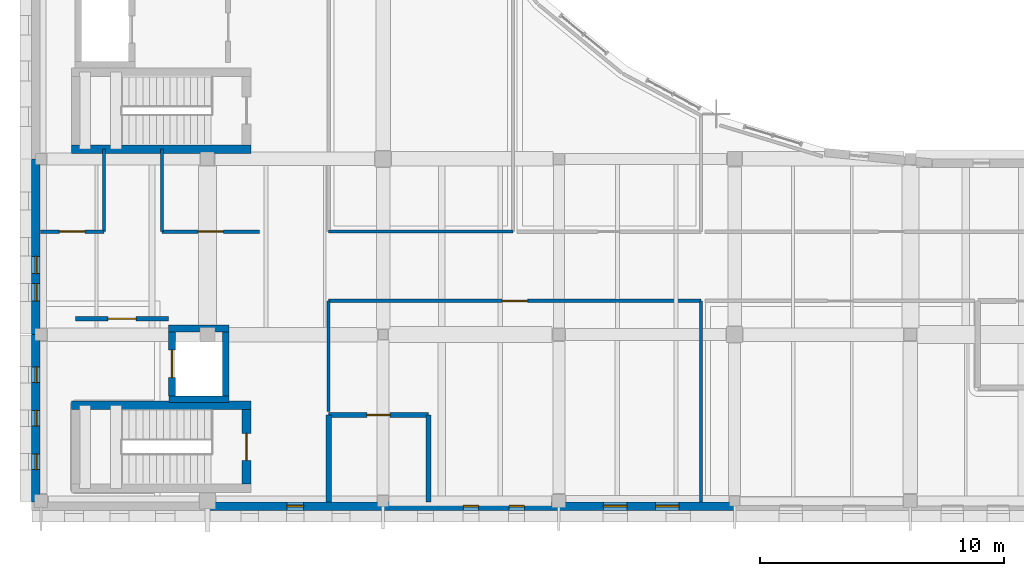
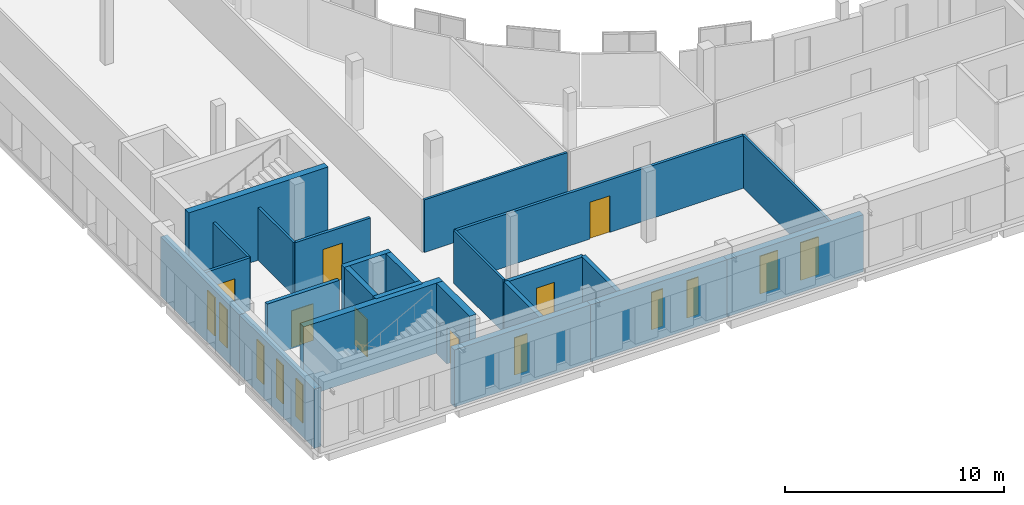
# One storey, part 49 of 76: 24 walls, 10 windows, 7 doors, 17 openings.
"""IFC4 building model written with IfcOpenShell, lengths in metres."""

from ifc_helpers import new_model, si_unit, direction, frame, frame_2d, origin, place, context, subcontext, project, spatial, rectangle, extrude, material, layer, layer_set, type_object, element, fill, save


model = new_model("IFC4")

# Units and contexts
model_context = context("Model", 3, precision=1e-05, world=origin(), true_north=direction((0.0, 1.0)))
body_context = subcontext(model_context, "Body", "Model", "MODEL_VIEW")
ifc_project = project(units=[si_unit("LENGTHUNIT", "METRE"), si_unit("AREAUNIT", "SQUARE_METRE"), si_unit("VOLUMEUNIT", "CUBIC_METRE"), si_unit("PLANEANGLEUNIT", "RADIAN"), si_unit("MASSUNIT", "GRAM", prefix="KILO")], contexts=[model_context])

# Site, building, storey
site_placement = place(None, origin())
site = spatial("IfcSite", under=ifc_project, at=site_placement, CompositionType="ELEMENT")
building_placement = place(site_placement, origin())
building = spatial("IfcBuilding", under=site, at=building_placement, Name="Vardoun Plaza Health Centre", CompositionType="ELEMENT")
storey_placement = place(building_placement, frame((0.0, 0.0, 4.5)))
storey = spatial("IfcBuildingStorey", under=building, at=storey_placement, Name="L01", CompositionType="ELEMENT", Elevation=4.5)

# Wall
ifc_material_1 = material(Name="Concrete C40/50", Category="concrete")
ifc_layer_1 = layer(ifc_material_1, 0.27001953125)
ifc_layer_set_1 = layer_set([ifc_layer_1], Name="Concrete C40/50")
wall_type_1 = type_object("IfcWallType", Name="SW-03", PredefinedType="SHEAR", material=ifc_layer_set_1)
wall_1_placement = place(storey_placement, frame((12.5849609375, 9.050048828125, 0.0), z_axis=(0.0, 0.0, 1.0), x_axis=(-1.0, 0.0, 0.0)))
element("IfcWall", 1, at=wall_1_placement, inside=storey, type_object=wall_type_1, Name="Lift LF-01 L01 Shaft Wall S", PredefinedType="SHEAR", context=body_context, shape_type="SweptSolid", body=[
    extrude(rectangle(XDim=2.469970703125, YDim=0.27001953125, at=frame_2d((1.23486328125, 0.0))), origin(), (0.0, 0.0, 1.0), 3.919921875),
])

# Wall, opening, door
wall_2_placement = place(storey_placement, frame((10.25, 9.18505859375, 0.0), z_axis=(0.0, 0.0, 1.0), x_axis=(0.0, 1.0, 0.0)))
wall_2 = element("IfcWall", 2, at=wall_2_placement, inside=storey, type_object=wall_type_1, Name="Lift LF-01 L01 Shaft Wall W", PredefinedType="SHEAR", context=body_context, shape_type="SweptSolid", body=[
    extrude(rectangle(XDim=2.6298828125, YDim=0.27001953125, at=frame_2d((1.31494140625, 0.0))), origin(), (0.0, 0.0, 1.0), 3.919921875),
])
opening_1_placement = place(wall_2_placement, frame((0.7548828125, 0.0, 0.0)))
opening_1 = element("IfcOpeningElement", 3, at=opening_1_placement, cuts=wall_2, Name="Opening LD-LF-01-L01", PredefinedType="OPENING", context=body_context, shape_type="SweptSolid", body=[
    extrude(rectangle(XDim=1.1201171875, YDim=2.10009765625, at=frame_2d((0.56005859375, 1.050048828125))), frame((0.0, 0.135009765625, 0.0), z_axis=(0.0, -1.0, 0.0), x_axis=(1.0, 0.0, 0.0)), (0.0, 0.0, 1.0), 0.27001953125),
])
ifc_material_2 = material(Name="Brushed Stainless Steel Grade 316L", Category="steel")
door_type_1 = type_object("IfcDoorType", Name="LD-01", OperationType="DOUBLE_DOOR_SLIDING", PredefinedType="DOOR", material=ifc_material_2)
door_1_placement = place(opening_1_placement, origin())
door_1 = element("IfcDoor", 4, at=door_1_placement, inside=storey, type_object=door_type_1, Name="Lift LF-01 L01 Sliding Landing Door", OperationType="DOUBLE_DOOR_SLIDING", OverallHeight=2.10009765625, OverallWidth=1.1201171875, PredefinedType="DOOR", context=body_context, shape_type="SweptSolid", body=[
    extrude(rectangle(XDim=1.1201171875, YDim=2.10009765625, at=frame_2d((0.56005859375, 1.050048828125))), frame((0.0, 0.02490234375, 0.0), z_axis=(0.0, -1.0, 0.0), x_axis=(1.0, 0.0, 0.0)), (0.0, 0.0, 1.0), 0.050048828125),
])
fill(opening_1, door_1)

# Walls
wall_3_placement = place(storey_placement, frame((10.114990234375, 11.949951171875, 0.0), z_axis=(0.0, 0.0, 1.0), x_axis=(1.0, 0.0, 0.0)))
element("IfcWall", 5, at=wall_3_placement, inside=storey, type_object=wall_type_1, Name="Lift LF-01 L01 Shaft Wall N", PredefinedType="SHEAR", context=body_context, shape_type="SweptSolid", body=[
    extrude(rectangle(XDim=2.469970703125, YDim=0.27001953125, at=frame_2d((1.23486328125, 0.0))), origin(), (0.0, 0.0, 1.0), 3.919921875),
])
wall_4_placement = place(storey_placement, frame((12.449951171875, 11.81494140625, 0.0), z_axis=(0.0, 0.0, 1.0), x_axis=(0.0, -1.0, 0.0)))
element("IfcWall", 6, at=wall_4_placement, inside=storey, type_object=wall_type_1, Name="Lift LF-01 L01 Shaft Wall E", PredefinedType="SHEAR", context=body_context, shape_type="SweptSolid", body=[
    extrude(rectangle(XDim=2.6298828125, YDim=0.27001953125, at=frame_2d((1.31494140625, 0.0))), origin(), (0.0, 0.0, 1.0), 3.919921875),
])
ifc_material_3 = material(Name="Concrete C40/50", Category="concrete")
ifc_layer_2 = layer(ifc_material_3, 0.35009765625)
ifc_layer_set_2 = layer_set([ifc_layer_2], Name="Concrete C40/50")
wall_type_2 = type_object("IfcWallType", Name="SW-02", PredefinedType="SHEAR", material=ifc_layer_set_2)
wall_5_placement = place(storey_placement, frame((6.125, 8.800048828125, 0.0), z_axis=(0.0, 0.0, 1.0), x_axis=(1.0, 0.0, 0.0)))
element("IfcWall", 7, at=wall_5_placement, inside=storey, type_object=wall_type_2, Name="Core C1 L01 Shear Wall N", PredefinedType="SHEAR", context=body_context, shape_type="SweptSolid", body=[
    extrude(rectangle(XDim=7.35009765625, YDim=0.35009765625, at=frame_2d((3.675048828125, 0.0))), origin(), (0.0, 0.0, 1.0), 3.919921875),
])

# Wall, opening, door
wall_6_placement = place(storey_placement, frame((13.300048828125, 8.625, 0.0), z_axis=(0.0, 0.0, 1.0), x_axis=(0.0, -1.0, 0.0)))
wall_6 = element("IfcWall", 8, at=wall_6_placement, inside=storey, type_object=wall_type_2, Name="Core C1 L01 Shear Wall E", PredefinedType="SHEAR", context=body_context, shape_type="SweptSolid", body=[
    extrude(rectangle(XDim=3.050048828125, YDim=0.35009765625, at=frame_2d((1.52490234375, 0.0))), origin(), (0.0, 0.0, 1.0), 3.919921875),
])
opening_2_placement = place(wall_6_placement, frame((0.97509765625, 0.0, 0.0)))
opening_2 = element("IfcOpeningElement", 9, at=opening_2_placement, cuts=wall_6, Name="Opening SD-C1-L01", PredefinedType="OPENING", context=body_context, shape_type="SweptSolid", body=[
    extrude(rectangle(XDim=1.10009765625, YDim=2.050048828125, at=frame_2d((0.550048828125, 1.02490234375))), frame((0.0, 0.175048828125, 0.0), z_axis=(0.0, -1.0, 0.0), x_axis=(1.0, 0.0, 0.0)), (0.0, 0.0, 1.0), 0.35009765625),
])
ifc_material_4 = material(Name="Brushed Stainless Steel Grade 316L", Category="steel")
door_type_2 = type_object("IfcDoorType", Name="FD-01", OperationType="NOTDEFINED", PredefinedType="DOOR", material=ifc_material_4)
door_2_placement = place(opening_2_placement, origin())
door_2 = element("IfcDoor", 10, at=door_2_placement, inside=storey, type_object=door_type_2, Name="Stair C1 L01 Fire Door", OperationType="SINGLE_SWING_LEFT", OverallHeight=2.050048828125, OverallWidth=1.10009765625, PredefinedType="DOOR", context=body_context, shape_type="SweptSolid", body=[
    extrude(rectangle(XDim=1.10009765625, YDim=2.050048828125, at=frame_2d((0.550048828125, 1.02490234375))), frame((0.0, 0.02490234375, 0.0), z_axis=(0.0, -1.0, 0.0), x_axis=(1.0, 0.0, 0.0)), (0.0, 0.0, 1.0), 0.050048828125),
])
fill(opening_2, door_2)

# Wall
wall_7_placement = place(storey_placement, frame((13.47509765625, 19.300048828125, 0.0), z_axis=(0.0, 0.0, 1.0), x_axis=(-1.0, 0.0, 0.0)))
element("IfcWall", 11, at=wall_7_placement, inside=storey, type_object=wall_type_2, Name="Core C2 L01 Shear Wall S", PredefinedType="SHEAR", context=body_context, shape_type="SweptSolid", body=[
    extrude(rectangle(XDim=7.35009765625, YDim=0.35009765625, at=frame_2d((3.675048828125, 0.0))), origin(), (0.0, 0.0, 1.0), 3.919921875),
])

# Wall, openings, windows
ifc_material_5 = material(Name="Pale Limestone Concrete C35/45", Category="masonry")
ifc_layer_3 = layer(ifc_material_5, 0.344970703125)
ifc_layer_set_3 = layer_set([ifc_layer_3], Name="Pale Limestone Concrete C35/45")
wall_type_3 = type_object("IfcWallType", Name="EW-01", PredefinedType="SOLIDWALL", material=ifc_layer_set_3)
wall_8_placement = place(storey_placement, frame((33.300048828125, 4.672607421875, 0.0), z_axis=(0.0, 0.0, 1.0), x_axis=(-1.0, 0.0, 0.0)))
wall_8 = element("IfcWall", 12, at=wall_8_placement, inside=storey, type_object=wall_type_3, Name="V2 L01 Exterior Wall EW-V2-113", PredefinedType="SOLIDWALL", context=body_context, shape_type="SweptSolid", body=[
    extrude(rectangle(XDim=7.199951171875, YDim=0.344970703125, at=frame_2d((3.60009765625, 0.0))), origin(), (0.0, 0.0, 1.0), 3.18505859375),
])
opening_3_placement = place(wall_8_placement, frame((2.27392578125, 0.0, 0.550048828125)))
opening_3 = element("IfcOpeningElement", 13, at=opening_3_placement, cuts=wall_8, Name="Opening W-20-001", PredefinedType="OPENING", context=body_context, shape_type="SweptSolid", body=[
    extrude(rectangle(XDim=0.9599609375, YDim=2.10009765625, at=frame_2d((0.47998046875, 1.050048828125))), frame((0.0, 0.17236328125, 0.0), z_axis=(0.0, -1.0, 0.0), x_axis=(1.0, 0.0, 0.0)), (0.0, 0.0, 1.0), 0.344970703125),
])
opening_4_placement = place(wall_8_placement, frame((4.416015625, 0.0, 0.550048828125)))
opening_4 = element("IfcOpeningElement", 14, at=opening_4_placement, cuts=wall_8, Name="Opening W-20-002", PredefinedType="OPENING", context=body_context, shape_type="SweptSolid", body=[
    extrude(rectangle(XDim=0.9599609375, YDim=2.10009765625, at=frame_2d((0.47998046875, 1.050048828125))), frame((0.0, 0.17236328125, 0.0), z_axis=(0.0, -1.0, 0.0), x_axis=(1.0, 0.0, 0.0)), (0.0, 0.0, 1.0), 0.344970703125),
])
ifc_material_6 = material(Name="Aluminium Alloy EN AW-6063-T6 and Low-E Glass", Category="aluminium")
window_type_1 = type_object("IfcWindowType", Name="W-20", PartitioningType="DOUBLE_PANEL_VERTICAL", PredefinedType="WINDOW", material=ifc_material_6)
window_1_placement = place(opening_3_placement, origin())
window_1 = element("IfcWindow", 15, at=window_1_placement, inside=storey, type_object=window_type_1, Name="V2 L01 Deep-Punched Slot Window W-20-071", OverallHeight=2.10009765625, OverallWidth=0.9599609375, PartitioningType="DOUBLE_PANEL_VERTICAL", PredefinedType="WINDOW", context=body_context, shape_type="SweptSolid", body=[
    extrude(rectangle(XDim=0.9599609375, YDim=2.10009765625, at=frame_2d((0.47998046875, 1.050048828125))), frame((0.0, 0.030029296875, 0.0), z_axis=(0.0, -1.0, 0.0), x_axis=(1.0, 0.0, 0.0)), (0.0, 0.0, 1.0), 0.06005859375),
])
fill(opening_3, window_1)
window_2_placement = place(opening_4_placement, origin())
window_2 = element("IfcWindow", 16, at=window_2_placement, inside=storey, type_object=window_type_1, Name="V2 L01 Deep-Punched Slot Window W-20-072", OverallHeight=2.10009765625, OverallWidth=0.9599609375, PartitioningType="DOUBLE_PANEL_VERTICAL", PredefinedType="WINDOW", context=body_context, shape_type="SweptSolid", body=[
    extrude(rectangle(XDim=0.9599609375, YDim=2.10009765625, at=frame_2d((0.47998046875, 1.050048828125))), frame((0.0, 0.030029296875, 0.0), z_axis=(0.0, -1.0, 0.0), x_axis=(1.0, 0.0, 0.0)), (0.0, 0.0, 1.0), 0.06005859375),
])
fill(opening_4, window_2)

wall_9_placement = place(storey_placement, frame((26.10009765625, 4.672607421875, 0.0), z_axis=(0.0, 0.0, 1.0), x_axis=(-1.0, 0.0, 0.0)))
wall_9 = element("IfcWall", 17, at=wall_9_placement, inside=storey, type_object=wall_type_3, Name="V2 L01 Exterior Wall EW-V2-114", PredefinedType="SOLIDWALL", context=body_context, shape_type="SweptSolid", body=[
    extrude(rectangle(XDim=7.2001953125, YDim=0.344970703125, at=frame_2d((3.60009765625, 0.0))), origin(), (0.0, 0.0, 1.0), 3.18505859375),
])
opening_5_placement = place(wall_9_placement, frame((1.41796875, 0.0, 0.550048828125)))
opening_5 = element("IfcOpeningElement", 18, at=opening_5_placement, cuts=wall_9, Name="Opening W-21-003", PredefinedType="OPENING", context=body_context, shape_type="SweptSolid", body=[
    extrude(rectangle(XDim=0.6201171875, YDim=2.080078125, at=frame_2d((0.31005859375, 1.0400390625))), frame((0.0, 0.17236328125, 0.0), z_axis=(0.0, -1.0, 0.0), x_axis=(1.0, 0.0, 0.0)), (0.0, 0.0, 1.0), 0.344970703125),
])
opening_6_placement = place(wall_9_placement, frame((3.2900390625, 0.0, 0.550048828125)))
opening_6 = element("IfcOpeningElement", 19, at=opening_6_placement, cuts=wall_9, Name="Opening W-21-004", PredefinedType="OPENING", context=body_context, shape_type="SweptSolid", body=[
    extrude(rectangle(XDim=0.6201171875, YDim=2.080078125, at=frame_2d((0.31005859375, 1.0400390625))), frame((0.0, 0.17236328125, 0.0), z_axis=(0.0, -1.0, 0.0), x_axis=(1.0, 0.0, 0.0)), (0.0, 0.0, 1.0), 0.344970703125),
])
ifc_material_7 = material(Name="Aluminium Alloy EN AW-6063-T6 and Low-E Glass", Category="aluminium")
window_type_2 = type_object("IfcWindowType", Name="W-21", PartitioningType="SINGLE_PANEL", PredefinedType="WINDOW", material=ifc_material_7)
window_3_placement = place(opening_5_placement, origin())
window_3 = element("IfcWindow", 20, at=window_3_placement, inside=storey, type_object=window_type_2, Name="V2 L01 Deep-Punched Slot Window W-21-073", OverallHeight=2.080078125, OverallWidth=0.6201171875, PartitioningType="SINGLE_PANEL", PredefinedType="WINDOW", context=body_context, shape_type="SweptSolid", body=[
    extrude(rectangle(XDim=0.6201171875, YDim=2.080078125, at=frame_2d((0.31005859375, 1.0400390625))), frame((0.0, 0.030029296875, 0.0), z_axis=(0.0, -1.0, 0.0), x_axis=(1.0, 0.0, 0.0)), (0.0, 0.0, 1.0), 0.06005859375),
])
fill(opening_5, window_3)
window_4_placement = place(opening_6_placement, origin())
window_4 = element("IfcWindow", 21, at=window_4_placement, inside=storey, type_object=window_type_2, Name="V2 L01 Deep-Punched Slot Window W-21-074", OverallHeight=2.080078125, OverallWidth=0.6201171875, PartitioningType="SINGLE_PANEL", PredefinedType="WINDOW", context=body_context, shape_type="SweptSolid", body=[
    extrude(rectangle(XDim=0.6201171875, YDim=2.080078125, at=frame_2d((0.31005859375, 1.0400390625))), frame((0.0, 0.030029296875, 0.0), z_axis=(0.0, -1.0, 0.0), x_axis=(1.0, 0.0, 0.0)), (0.0, 0.0, 1.0), 0.06005859375),
])
fill(opening_6, window_4)

# Wall, opening, window
wall_10_placement = place(storey_placement, frame((18.89990234375, 4.672607421875, 0.0), z_axis=(0.0, 0.0, 1.0), x_axis=(-1.0, 0.0, 0.0)))
wall_10 = element("IfcWall", 22, at=wall_10_placement, inside=storey, type_object=wall_type_3, Name="V2 L01 Exterior Wall EW-V2-115", PredefinedType="SOLIDWALL", context=body_context, shape_type="SweptSolid", body=[
    extrude(rectangle(XDim=7.199951171875, YDim=0.344970703125, at=frame_2d((3.60009765625, 0.0))), origin(), (0.0, 0.0, 1.0), 3.18505859375),
])
opening_7_placement = place(wall_10_placement, frame((3.260009765625, 0.0, 0.550048828125)))
opening_7 = element("IfcOpeningElement", 23, at=opening_7_placement, cuts=wall_10, Name="Opening W-22-001", PredefinedType="OPENING", context=body_context, shape_type="SweptSolid", body=[
    extrude(rectangle(XDim=0.679931640625, YDim=2.080078125, at=frame_2d((0.33984375, 1.0400390625))), frame((0.0, 0.17236328125, 0.0), z_axis=(0.0, -1.0, 0.0), x_axis=(1.0, 0.0, 0.0)), (0.0, 0.0, 1.0), 0.344970703125),
])
ifc_material_8 = material(Name="Aluminium Alloy EN AW-6063-T6 and Low-E Glass", Category="aluminium")
window_type_3 = type_object("IfcWindowType", Name="W-22", PartitioningType="SINGLE_PANEL", PredefinedType="WINDOW", material=ifc_material_8)
window_5_placement = place(opening_7_placement, origin())
window_5 = element("IfcWindow", 24, at=window_5_placement, inside=storey, type_object=window_type_3, Name="V2 L01 Deep-Punched Slot Window W-22-077", OverallHeight=2.080078125, OverallWidth=0.679931640625, PartitioningType="SINGLE_PANEL", PredefinedType="WINDOW", context=body_context, shape_type="SweptSolid", body=[
    extrude(rectangle(XDim=0.679931640625, YDim=2.080078125, at=frame_2d((0.33984375, 1.0400390625))), frame((0.0, 0.030029296875, 0.0), z_axis=(0.0, -1.0, 0.0), x_axis=(1.0, 0.0, 0.0)), (0.0, 0.0, 1.0), 0.06005859375),
])
fill(opening_7, window_5)

# Wall, openings, windows
wall_11_placement = place(storey_placement, frame((4.672607421875, 4.844970703125, 0.0), z_axis=(0.0, 0.0, 1.0), x_axis=(0.0, 1.0, 0.0)))
wall_11 = element("IfcWall", 25, at=wall_11_placement, inside=storey, type_object=wall_type_3, Name="V2 L01 Exterior Wall EW-V2-117", PredefinedType="SOLIDWALL", context=body_context, shape_type="SweptSolid", body=[
    extrude(rectangle(XDim=6.85498046875, YDim=0.344970703125, at=frame_2d((3.427490234375, 0.0))), origin(), (0.0, 0.0, 1.0), 3.304931640625),
])
opening_8_placement = place(wall_11_placement, frame((1.3203125, 0.0, 0.550048828125)))
opening_8 = element("IfcOpeningElement", 26, at=opening_8_placement, cuts=wall_11, Name="Opening W-31-001", PredefinedType="OPENING", context=body_context, shape_type="SweptSolid", body=[
    extrude(rectangle(XDim=0.64990234375, YDim=2.139892578125, at=frame_2d((0.324951171875, 1.06982421875))), frame((0.0, 0.17236328125, 0.0), z_axis=(0.0, -1.0, 0.0), x_axis=(1.0, 0.0, 0.0)), (0.0, 0.0, 1.0), 0.344970703125),
])
opening_9_placement = place(wall_11_placement, frame((3.1025390625, 0.0, 0.550048828125)))
opening_9 = element("IfcOpeningElement", 27, at=opening_9_placement, cuts=wall_11, Name="Opening W-31-002", PredefinedType="OPENING", context=body_context, shape_type="SweptSolid", body=[
    extrude(rectangle(XDim=0.64990234375, YDim=2.139892578125, at=frame_2d((0.324951171875, 1.06982421875))), frame((0.0, 0.17236328125, 0.0), z_axis=(0.0, -1.0, 0.0), x_axis=(1.0, 0.0, 0.0)), (0.0, 0.0, 1.0), 0.344970703125),
])
opening_10_placement = place(wall_11_placement, frame((4.884765625, 0.0, 0.550048828125)))
opening_10 = element("IfcOpeningElement", 28, at=opening_10_placement, cuts=wall_11, Name="Opening W-31-003", PredefinedType="OPENING", context=body_context, shape_type="SweptSolid", body=[
    extrude(rectangle(XDim=0.64990234375, YDim=2.139892578125, at=frame_2d((0.324951171875, 1.06982421875))), frame((0.0, 0.17236328125, 0.0), z_axis=(0.0, -1.0, 0.0), x_axis=(1.0, 0.0, 0.0)), (0.0, 0.0, 1.0), 0.344970703125),
])
ifc_material_9 = material(Name="Aluminium Alloy EN AW-6063-T6 and Low-E Glass", Category="aluminium")
window_type_4 = type_object("IfcWindowType", Name="W-31", PartitioningType="SINGLE_PANEL", PredefinedType="WINDOW", material=ifc_material_9)
window_6_placement = place(opening_8_placement, origin())
window_6 = element("IfcWindow", 29, at=window_6_placement, inside=storey, type_object=window_type_4, Name="V2 L01 Deep-Punched Slot Window W-31-082", OverallHeight=2.139892578125, OverallWidth=0.64990234375, PartitioningType="SINGLE_PANEL", PredefinedType="WINDOW", context=body_context, shape_type="SweptSolid", body=[
    extrude(rectangle(XDim=0.64990234375, YDim=2.139892578125, at=frame_2d((0.324951171875, 1.06982421875))), frame((0.0, 0.030029296875, 0.0), z_axis=(0.0, -1.0, 0.0), x_axis=(1.0, 0.0, 0.0)), (0.0, 0.0, 1.0), 0.06005859375),
])
fill(opening_8, window_6)
window_7_placement = place(opening_9_placement, origin())
window_7 = element("IfcWindow", 30, at=window_7_placement, inside=storey, type_object=window_type_4, Name="V2 L01 Deep-Punched Slot Window W-31-083", OverallHeight=2.139892578125, OverallWidth=0.64990234375, PartitioningType="SINGLE_PANEL", PredefinedType="WINDOW", context=body_context, shape_type="SweptSolid", body=[
    extrude(rectangle(XDim=0.64990234375, YDim=2.139892578125, at=frame_2d((0.324951171875, 1.06982421875))), frame((0.0, 0.030029296875, 0.0), z_axis=(0.0, -1.0, 0.0), x_axis=(1.0, 0.0, 0.0)), (0.0, 0.0, 1.0), 0.06005859375),
])
fill(opening_9, window_7)
window_8_placement = place(opening_10_placement, origin())
window_8 = element("IfcWindow", 31, at=window_8_placement, inside=storey, type_object=window_type_4, Name="V2 L01 Deep-Punched Slot Window W-31-084", OverallHeight=2.139892578125, OverallWidth=0.64990234375, PartitioningType="SINGLE_PANEL", PredefinedType="WINDOW", context=body_context, shape_type="SweptSolid", body=[
    extrude(rectangle(XDim=0.64990234375, YDim=2.139892578125, at=frame_2d((0.324951171875, 1.06982421875))), frame((0.0, 0.030029296875, 0.0), z_axis=(0.0, -1.0, 0.0), x_axis=(1.0, 0.0, 0.0)), (0.0, 0.0, 1.0), 0.06005859375),
])
fill(opening_10, window_8)

wall_12_placement = place(storey_placement, frame((4.672607421875, 11.699951171875, 0.0), z_axis=(0.0, 0.0, 1.0), x_axis=(0.0, 1.0, 0.0)))
wall_12 = element("IfcWall", 32, at=wall_12_placement, inside=storey, type_object=wall_type_3, Name="V2 L01 Exterior Wall EW-V2-118", PredefinedType="SOLIDWALL", context=body_context, shape_type="SweptSolid", body=[
    extrude(rectangle(XDim=7.199951171875, YDim=0.344970703125, at=frame_2d((3.60009765625, 0.0))), origin(), (0.0, 0.0, 1.0), 3.304931640625),
])
opening_11_placement = place(wall_12_placement, frame((1.373046875, 0.0, 0.550048828125)))
opening_11 = element("IfcOpeningElement", 33, at=opening_11_placement, cuts=wall_12, Name="Opening W-32-004", PredefinedType="OPENING", context=body_context, shape_type="SweptSolid", body=[
    extrude(rectangle(XDim=0.7099609375, YDim=2.139892578125, at=frame_2d((0.35498046875, 1.06982421875))), frame((0.0, 0.17236328125, 0.0), z_axis=(0.0, -1.0, 0.0), x_axis=(1.0, 0.0, 0.0)), (0.0, 0.0, 1.0), 0.344970703125),
])
opening_12_placement = place(wall_12_placement, frame((2.4951171875, 0.0, 0.550048828125)))
opening_12 = element("IfcOpeningElement", 34, at=opening_12_placement, cuts=wall_12, Name="Opening W-32-005", PredefinedType="OPENING", context=body_context, shape_type="SweptSolid", body=[
    extrude(rectangle(XDim=0.7099609375, YDim=2.139892578125, at=frame_2d((0.35498046875, 1.06982421875))), frame((0.0, 0.17236328125, 0.0), z_axis=(0.0, -1.0, 0.0), x_axis=(1.0, 0.0, 0.0)), (0.0, 0.0, 1.0), 0.344970703125),
])
ifc_material_10 = material(Name="Aluminium Alloy EN AW-6063-T6 and Low-E Glass", Category="aluminium")
window_type_5 = type_object("IfcWindowType", Name="W-32", PartitioningType="SINGLE_PANEL", PredefinedType="WINDOW", material=ifc_material_10)
window_9_placement = place(opening_11_placement, origin())
window_9 = element("IfcWindow", 35, at=window_9_placement, inside=storey, type_object=window_type_5, Name="V2 L01 Deep-Punched Slot Window W-32-085", OverallHeight=2.139892578125, OverallWidth=0.7099609375, PartitioningType="SINGLE_PANEL", PredefinedType="WINDOW", context=body_context, shape_type="SweptSolid", body=[
    extrude(rectangle(XDim=0.7099609375, YDim=2.139892578125, at=frame_2d((0.35498046875, 1.06982421875))), frame((0.0, 0.030029296875, 0.0), z_axis=(0.0, -1.0, 0.0), x_axis=(1.0, 0.0, 0.0)), (0.0, 0.0, 1.0), 0.06005859375),
])
fill(opening_11, window_9)
window_10_placement = place(opening_12_placement, origin())
window_10 = element("IfcWindow", 36, at=window_10_placement, inside=storey, type_object=window_type_5, Name="V2 L01 Deep-Punched Slot Window W-32-086", OverallHeight=2.139892578125, OverallWidth=0.7099609375, PartitioningType="SINGLE_PANEL", PredefinedType="WINDOW", context=body_context, shape_type="SweptSolid", body=[
    extrude(rectangle(XDim=0.7099609375, YDim=2.139892578125, at=frame_2d((0.35498046875, 1.06982421875))), frame((0.0, 0.030029296875, 0.0), z_axis=(0.0, -1.0, 0.0), x_axis=(1.0, 0.0, 0.0)), (0.0, 0.0, 1.0), 0.06005859375),
])
fill(opening_12, window_10)

# Wall, opening, door
ifc_material_11 = material(Name="Acoustic Gypsum Twin-Stud", Category="steel")
ifc_layer_4 = layer(ifc_material_11, 0.14990234375)
ifc_layer_set_4 = layer_set([ifc_layer_4], Name="Acoustic Gypsum Twin-Stud")
wall_type_4 = type_object("IfcWallType", Name="IW-04", PredefinedType="PARTITIONING", material=ifc_layer_set_4)
wall_13_placement = place(storey_placement, frame((7.4599609375, 15.919921875, 0.0), z_axis=(0.0, 0.0, 1.0), x_axis=(-1.0, 0.0, 0.0)))
wall_13 = element("IfcWall", 37, at=wall_13_placement, inside=storey, type_object=wall_type_4, Name="GP Consulting Room 12 Partition Wall", PredefinedType="PARTITIONING", context=body_context, shape_type="SweptSolid", body=[
    extrude(rectangle(XDim=2.60986328125, YDim=0.14990234375, at=frame_2d((1.304931640625, 0.0))), origin(), (0.0, 0.0, 1.0), 2.93994140625),
])
opening_13_placement = place(wall_13_placement, frame((0.784912109375, 0.0, 0.0)))
opening_13 = element("IfcOpeningElement", 38, at=opening_13_placement, cuts=wall_13, Name="Opening D-L01-037", PredefinedType="OPENING", context=body_context, shape_type="SweptSolid", body=[
    extrude(rectangle(XDim=1.0400390625, YDim=2.050048828125, at=frame_2d((0.52001953125, 1.02490234375))), frame((0.0, 0.074951171875, 0.0), z_axis=(0.0, -1.0, 0.0), x_axis=(1.0, 0.0, 0.0)), (0.0, 0.0, 1.0), 0.14990234375),
])
ifc_material_12 = material(Name="Antimicrobial Acoustic Timber and Steel S275JR", Category="steel")
door_type_3 = type_object("IfcDoorType", Name="CD-04", OperationType="NOTDEFINED", PredefinedType="DOOR", material=ifc_material_12)
door_3_placement = place(opening_13_placement, origin())
door_3 = element("IfcDoor", 39, at=door_3_placement, inside=storey, type_object=door_type_3, Name="GP Consulting Room 12 Door D-L01-037", OperationType="SINGLE_SWING_LEFT", OverallHeight=2.050048828125, OverallWidth=1.0400390625, PredefinedType="DOOR", context=body_context, shape_type="SweptSolid", body=[
    extrude(rectangle(XDim=1.0400390625, YDim=2.050048828125, at=frame_2d((0.52001953125, 1.02490234375))), frame((0.0, 0.02490234375, 0.0), z_axis=(0.0, -1.0, 0.0), x_axis=(1.0, 0.0, 0.0)), (0.0, 0.0, 1.0), 0.050048828125),
])
fill(opening_13, door_3)

wall_14_placement = place(storey_placement, frame((16.669921875, 13.080078125, 0.0), z_axis=(0.0, 0.0, 1.0), x_axis=(1.0, 0.0, 0.0)))
wall_14 = element("IfcWall", 40, at=wall_14_placement, inside=storey, type_object=wall_type_4, Name="GP Consulting Room 14 Partition Wall", PredefinedType="PARTITIONING", context=body_context, shape_type="SweptSolid", body=[
    extrude(rectangle(XDim=15.260009765625, YDim=0.14990234375, at=frame_2d((7.6298828125, 0.0))), origin(), (0.0, 0.0, 1.0), 2.93994140625),
])
opening_14_placement = place(wall_14_placement, frame((7.110107421875, 0.0, 0.0)))
opening_14 = element("IfcOpeningElement", 41, at=opening_14_placement, cuts=wall_14, Name="Opening D-L01-039", PredefinedType="OPENING", context=body_context, shape_type="SweptSolid", body=[
    extrude(rectangle(XDim=1.0400390625, YDim=2.050048828125, at=frame_2d((0.52001953125, 1.02490234375))), frame((0.0, 0.074951171875, 0.0), z_axis=(0.0, -1.0, 0.0), x_axis=(1.0, 0.0, 0.0)), (0.0, 0.0, 1.0), 0.14990234375),
])
door_4_placement = place(opening_14_placement, origin())
door_4 = element("IfcDoor", 42, at=door_4_placement, inside=storey, type_object=door_type_3, Name="GP Consulting Room 14 Door D-L01-039", OperationType="SINGLE_SWING_LEFT", OverallHeight=2.050048828125, OverallWidth=1.0400390625, PredefinedType="DOOR", context=body_context, shape_type="SweptSolid", body=[
    extrude(rectangle(XDim=1.0400390625, YDim=2.050048828125, at=frame_2d((0.52001953125, 1.02490234375))), frame((0.0, 0.02490234375, 0.0), z_axis=(0.0, -1.0, 0.0), x_axis=(1.0, 0.0, 0.0)), (0.0, 0.0, 1.0), 0.050048828125),
])
fill(opening_14, door_4)

wall_15_placement = place(storey_placement, frame((13.830078125, 15.919921875, 0.0), z_axis=(0.0, 0.0, 1.0), x_axis=(-1.0, 0.0, 0.0)))
wall_15 = element("IfcWall", 43, at=wall_15_placement, inside=storey, type_object=wall_type_4, Name="Internal Medicine Treatment Room Partition Wall", PredefinedType="PARTITIONING", context=body_context, shape_type="SweptSolid", body=[
    extrude(rectangle(XDim=3.989990234375, YDim=0.14990234375, at=frame_2d((1.9951171875, 0.0))), origin(), (0.0, 0.0, 1.0), 2.93994140625),
])
opening_15_placement = place(wall_15_placement, frame((1.47509765625, 0.0, 0.0)))
opening_15 = element("IfcOpeningElement", 44, at=opening_15_placement, cuts=wall_15, Name="Opening D-L01-041", PredefinedType="OPENING", context=body_context, shape_type="SweptSolid", body=[
    extrude(rectangle(XDim=1.0400390625, YDim=2.050048828125, at=frame_2d((0.52001953125, 1.02490234375))), frame((0.0, 0.074951171875, 0.0), z_axis=(0.0, -1.0, 0.0), x_axis=(1.0, 0.0, 0.0)), (0.0, 0.0, 1.0), 0.14990234375),
])
door_5_placement = place(opening_15_placement, origin())
door_5 = element("IfcDoor", 45, at=door_5_placement, inside=storey, type_object=door_type_3, Name="Internal Medicine Treatment Room Door D-L01-041", OperationType="SINGLE_SWING_LEFT", OverallHeight=2.050048828125, OverallWidth=1.0400390625, PredefinedType="DOOR", context=body_context, shape_type="SweptSolid", body=[
    extrude(rectangle(XDim=1.0400390625, YDim=2.050048828125, at=frame_2d((0.52001953125, 1.02490234375))), frame((0.0, 0.02490234375, 0.0), z_axis=(0.0, -1.0, 0.0), x_axis=(1.0, 0.0, 0.0)), (0.0, 0.0, 1.0), 0.050048828125),
])
fill(opening_15, door_5)

# Walls
ifc_material_13 = material(Name="Standard Clinical Sub-Partition", Category="steel")
ifc_layer_5 = layer(ifc_material_13, 0.125)
ifc_layer_set_5 = layer_set([ifc_layer_5], Name="Standard Clinical Sub-Partition")
wall_type_5 = type_object("IfcWallType", Name="IW-11", PredefinedType="PARTITIONING", material=ifc_layer_set_5)
wall_16_placement = place(storey_placement, frame((24.219970703125, 15.919921875, 0.0), z_axis=(0.0, 0.0, 1.0), x_axis=(-1.0, 0.0, 0.0)))
element("IfcWall", 46, at=wall_16_placement, inside=storey, type_object=wall_type_5, Name="GP Consulting Room 11 Enclosure Partition", PredefinedType="PARTITIONING", context=body_context, shape_type="SweptSolid", body=[
    extrude(rectangle(XDim=7.550048828125, YDim=0.125, at=frame_2d((3.77490234375, 0.0))), origin(), (0.0, 0.0, 1.0), 2.93994140625),
])
wall_17_placement = place(storey_placement, frame((7.4599609375, 19.300048828125, 0.0), z_axis=(0.0, 0.0, 1.0), x_axis=(0.0, -1.0, 0.0)))
element("IfcWall", 47, at=wall_17_placement, inside=storey, type_object=wall_type_5, Name="GP Consulting Room 12 Enclosure Partition", PredefinedType="PARTITIONING", context=body_context, shape_type="SweptSolid", body=[
    extrude(rectangle(XDim=3.380126953125, YDim=0.125, at=frame_2d((1.68994140625, 0.0))), origin(), (0.0, 0.0, 1.0), 2.93994140625),
])
wall_18_placement = place(storey_placement, frame((31.929931640625, 13.080078125, 0.0), z_axis=(0.0, 0.0, 1.0), x_axis=(0.0, -1.0, 0.0)))
element("IfcWall", 48, at=wall_18_placement, inside=storey, type_object=wall_type_5, Name="GP Consulting Room 14 Enclosure Partition", PredefinedType="PARTITIONING", context=body_context, shape_type="SweptSolid", body=[
    extrude(rectangle(XDim=8.22998046875, YDim=0.125, at=frame_2d((4.114990234375, 0.0))), origin(), (0.0, 0.0, 1.0), 2.93994140625),
])
wall_19_placement = place(storey_placement, frame((16.669921875, 8.541015625, 0.0), z_axis=(0.0, 0.0, 1.0), x_axis=(0.0, 1.0, 0.0)))
element("IfcWall", 49, at=wall_19_placement, inside=storey, type_object=wall_type_5, Name="GP Consulting Room 14 Enclosure Partition", PredefinedType="PARTITIONING", context=body_context, shape_type="SweptSolid", body=[
    extrude(rectangle(XDim=4.5390625, YDim=0.125, at=frame_2d((2.26953125, 0.0))), origin(), (0.0, 0.0, 1.0), 2.93994140625),
])
wall_20_placement = place(storey_placement, frame((9.840087890625, 15.919921875, 0.0), z_axis=(0.0, 0.0, 1.0), x_axis=(0.0, 1.0, 0.0)))
element("IfcWall", 50, at=wall_20_placement, inside=storey, type_object=wall_type_5, Name="Internal Medicine Treatment Room Enclosure Partition", PredefinedType="PARTITIONING", context=body_context, shape_type="SweptSolid", body=[
    extrude(rectangle(XDim=3.380126953125, YDim=0.125, at=frame_2d((1.68994140625, 0.0))), origin(), (0.0, 0.0, 1.0), 2.93994140625),
])

# Wall, opening, door
ifc_material_14 = material(Name="Concrete C35/45", Category="concrete")
ifc_layer_6 = layer(ifc_material_14, 0.199951171875)
ifc_layer_set_6 = layer_set([ifc_layer_6], Name="Concrete C35/45")
wall_type_6 = type_object("IfcWallType", Name="IW-01", PredefinedType="SOLIDWALL", material=ifc_layer_set_6)
wall_21_placement = place(storey_placement, frame((6.300048828125, 12.35009765625, 0.0), z_axis=(0.0, 0.0, 1.0), x_axis=(1.0, 0.0, 0.0)))
wall_21 = element("IfcWall", 51, at=wall_21_placement, inside=storey, type_object=wall_type_6, Name="Firefighting Lobby C1 L01 Wall", PredefinedType="SOLIDWALL", context=body_context, shape_type="SweptSolid", body=[
    extrude(rectangle(XDim=3.800048828125, YDim=0.199951171875, at=frame_2d((1.89990234375, 0.0))), origin(), (0.0, 0.0, 1.0), 2.93994140625),
])
opening_16_placement = place(wall_21_placement, frame((1.324951171875, 0.0, 0.0)))
opening_16 = element("IfcOpeningElement", 52, at=opening_16_placement, cuts=wall_21, Name="Opening FD-FF-C1-L01", PredefinedType="OPENING", context=body_context, shape_type="SweptSolid", body=[
    extrude(rectangle(XDim=1.14990234375, YDim=2.050048828125, at=frame_2d((0.574951171875, 1.02490234375))), frame((0.0, 0.10009765625, 0.0), z_axis=(0.0, -1.0, 0.0), x_axis=(1.0, 0.0, 0.0)), (0.0, 0.0, 1.0), 0.199951171875),
])
ifc_material_15 = material(Name="Antimicrobial Acoustic Timber and Steel S275JR", Category="steel")
door_type_4 = type_object("IfcDoorType", Name="FD-02", OperationType="NOTDEFINED", PredefinedType="DOOR", material=ifc_material_15)
door_6_placement = place(opening_16_placement, origin())
door_6 = element("IfcDoor", 53, at=door_6_placement, inside=storey, type_object=door_type_4, Name="Firefighting Lobby C1 L01 Fire Door", OperationType="SINGLE_SWING_RIGHT", OverallHeight=2.050048828125, OverallWidth=1.14990234375, PredefinedType="DOOR", context=body_context, shape_type="SweptSolid", body=[
    extrude(rectangle(XDim=1.14990234375, YDim=2.050048828125, at=frame_2d((0.574951171875, 1.02490234375))), frame((0.0, 0.02490234375, 0.0), z_axis=(0.0, -1.0, 0.0), x_axis=(1.0, 0.0, 0.0)), (0.0, 0.0, 1.0), 0.050048828125),
])
fill(opening_16, door_6)

ifc_material_16 = material(Name="Moisture-Resistant Plumbing Chase", Category="steel")
ifc_layer_7 = layer(ifc_material_16, 0.215087890625)
ifc_layer_set_7 = layer_set([ifc_layer_7], Name="Moisture-Resistant Plumbing Chase")
wall_type_7 = type_object("IfcWallType", Name="IW-06", PredefinedType="PLUMBINGWALL", material=ifc_layer_set_7)
wall_22_placement = place(storey_placement, frame((16.669921875, 8.40087890625, 0.0), z_axis=(0.0, 0.0, 1.0), x_axis=(1.0, 0.0, 0.0)))
wall_22 = element("IfcWall", 54, at=wall_22_placement, inside=storey, type_object=wall_type_7, Name="Accessible WC L01-V2 Partition Wall", PredefinedType="PLUMBINGWALL", context=body_context, shape_type="SweptSolid", body=[
    extrude(rectangle(XDim=4.08349609375, YDim=0.215087890625, at=frame_2d((2.041748046875, 0.0))), origin(), (0.0, 0.0, 1.0), 2.93994140625),
])
opening_17_placement = place(wall_22_placement, frame((1.566650390625, 0.0, 0.0)))
opening_17 = element("IfcOpeningElement", 55, at=opening_17_placement, cuts=wall_22, Name="Opening D-L01-034", PredefinedType="OPENING", context=body_context, shape_type="SweptSolid", body=[
    extrude(rectangle(XDim=0.949951171875, YDim=2.050048828125, at=frame_2d((0.47509765625, 1.02490234375))), frame((0.0, 0.107421875, 0.0), z_axis=(0.0, -1.0, 0.0), x_axis=(1.0, 0.0, 0.0)), (0.0, 0.0, 1.0), 0.215087890625),
])
ifc_material_17 = material(Name="Antimicrobial Acoustic Timber and Steel S275JR", Category="steel")
door_type_5 = type_object("IfcDoorType", Name="CD-07", OperationType="NOTDEFINED", PredefinedType="DOOR", material=ifc_material_17)
door_7_placement = place(opening_17_placement, origin())
door_7 = element("IfcDoor", 56, at=door_7_placement, inside=storey, type_object=door_type_5, Name="Accessible WC L01-V2 Door D-L01-034", OperationType="SINGLE_SWING_RIGHT", OverallHeight=2.050048828125, OverallWidth=0.949951171875, PredefinedType="DOOR", context=body_context, shape_type="SweptSolid", body=[
    extrude(rectangle(XDim=0.949951171875, YDim=2.050048828125, at=frame_2d((0.47509765625, 1.02490234375))), frame((0.0, 0.02490234375, 0.0), z_axis=(0.0, -1.0, 0.0), x_axis=(1.0, 0.0, 0.0)), (0.0, 0.0, 1.0), 0.050048828125),
])
fill(opening_17, door_7)

# Walls
for number, where, z_axis, x_axis, name in (
    (57, (20.75341796875, 8.40087890625, 0.0), (0.0, 0.0, 1.0), (0.0, -1.0, 0.0), "Accessible WC L01-V2 Enclosure Partition"),
    (58, (16.669921875, 4.85009765625, 0.0), (0.0, 0.0, 1.0), (0.0, 1.0, 0.0), "Accessible WC L01-V2 Enclosure Partition"),
):
    element("IfcWall", number, at=place(storey_placement, frame(where, z_axis=z_axis, x_axis=x_axis)), inside=storey, type_object=wall_type_7, Name=name, PredefinedType="PLUMBINGWALL", context=body_context, shape_type="SweptSolid", body=[
        extrude(rectangle(XDim=3.55078125, YDim=0.215087890625, at=frame_2d((1.775390625, 0.0))), origin(), (0.0, 0.0, 1.0), 2.93994140625),
    ])

save(model, "model.ifc")
